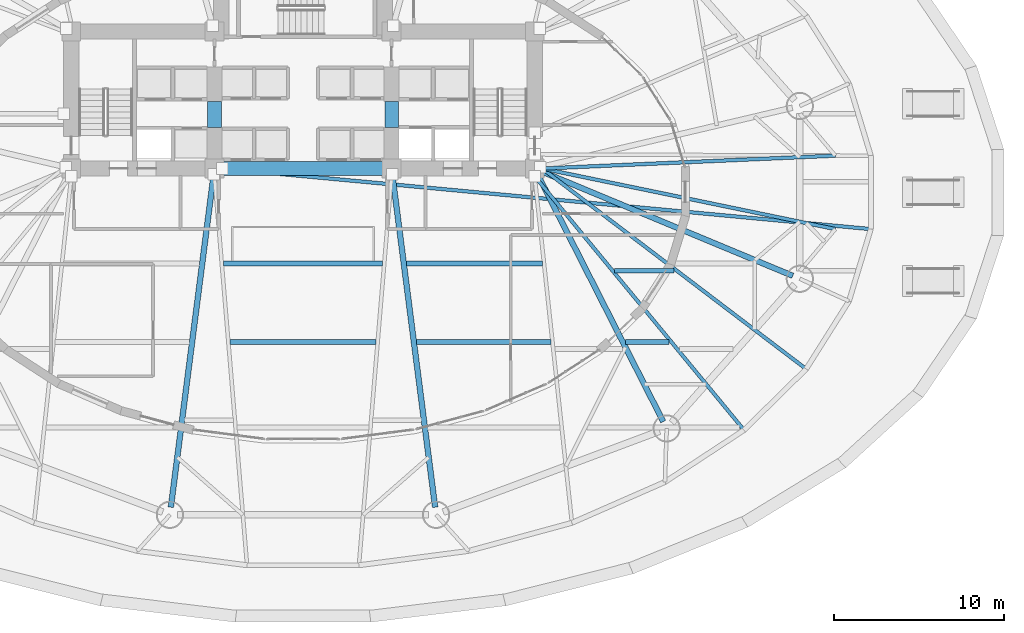
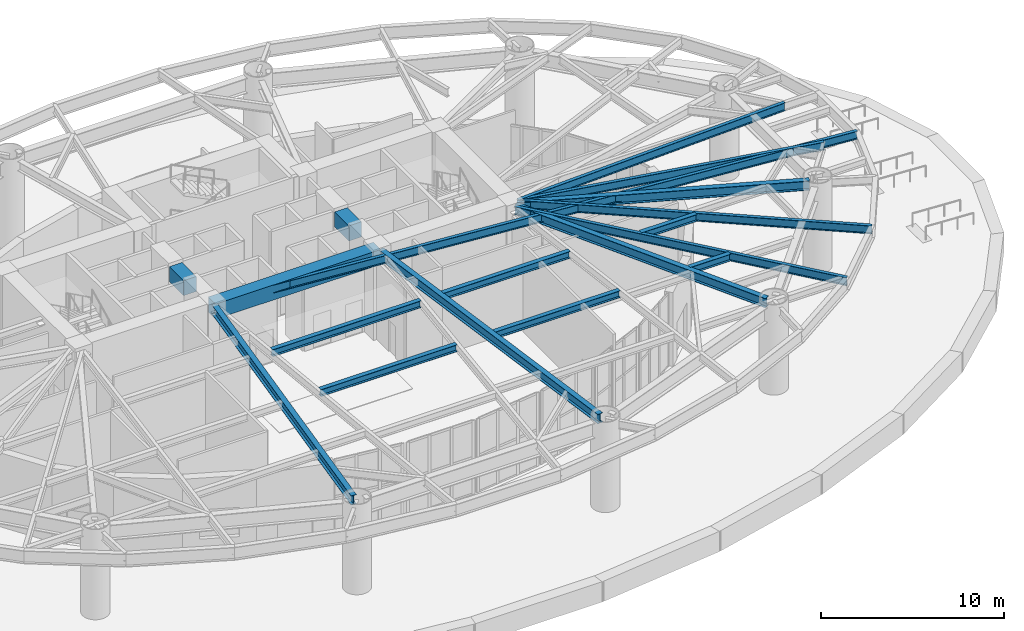
# One storey, part 6 of 21: 18 beams.
"""IFC4 building model written with IfcOpenShell, lengths in metres."""

from ifc_helpers import new_model, si_unit, direction, frame, origin, origin_2d, place, context, subcontext, project, spatial, rectangle, i_section, extrude, material, material_profile, profile_set, type_object, element, save


model = new_model("IFC4")

# Units and contexts
model_context = context("Model", 3, precision=1e-05, world=origin(), true_north=direction((0.0, 1.0)))
body_context = subcontext(model_context, "Body", "Model", "MODEL_VIEW")
ifc_project = project(units=[si_unit("LENGTHUNIT", "METRE"), si_unit("AREAUNIT", "SQUARE_METRE"), si_unit("VOLUMEUNIT", "CUBIC_METRE"), si_unit("PLANEANGLEUNIT", "RADIAN"), si_unit("MASSUNIT", "GRAM", prefix="KILO")], contexts=[model_context])

# Site, building, storey
site_placement = place(None, origin())
site = spatial("IfcSite", under=ifc_project, at=site_placement, CompositionType="ELEMENT")
building_placement = place(site_placement, origin())
building = spatial("IfcBuilding", under=site, at=building_placement, Name="Keldmark Tower", CompositionType="ELEMENT")
storey_placement = place(building_placement, origin())
storey = spatial("IfcBuildingStorey", under=building, at=storey_placement, Name="L00", CompositionType="ELEMENT", Elevation=0.0)

# Beams
ifc_material_1 = material(Name="Steel ASTM A992 Grade 50", Category="steel")
ifc_material_profile_1 = material_profile(ifc_material_1, i_section(OverallWidth=0.280029296875, OverallDepth=0.462890625, WebThickness=0.0107421875, FlangeThickness=0.017333984375, at=origin_2d()), Name="W18X76")
ifc_profile_set_1 = profile_set([ifc_material_profile_1], Name="Steel ASTM A992 Grade 50")
beam_type_1 = type_object("IfcBeamType", Name="Composite Floor Joist W18X76", PredefinedType="JOIST", material=ifc_profile_set_1)
beam_1_placement = place(storey_placement, frame((-4.287353515625, -8.780029296875, 5.548583984375), z_axis=(1.0, 0.0, 0.0), x_axis=(0.0, 1.0, 0.0)))
element("IfcBeam", 1, at=beam_1_placement, inside=storey, type_object=beam_type_1, Name="L00 Composite Floor Joist J12", PredefinedType="JOIST", context=body_context, shape_type="SweptSolid", body=[
    extrude(i_section(OverallWidth=0.280029296875, OverallDepth=0.462890625, WebThickness=0.0107421875, FlangeThickness=0.017333984375, at=origin_2d()), origin(), (0.0, 0.0, 1.0), 8.57470703125),
])
beam_2_placement = place(storey_placement, frame((6.665771484375, -8.780029296875, 5.548583984375), z_axis=(1.0, 0.0, 0.0), x_axis=(0.0, 1.0, 0.0)))
element("IfcBeam", 2, at=beam_2_placement, inside=storey, type_object=beam_type_1, Name="L00 Composite Floor Joist J13", PredefinedType="JOIST", context=body_context, shape_type="SweptSolid", body=[
    extrude(i_section(OverallWidth=0.280029296875, OverallDepth=0.462890625, WebThickness=0.0107421875, FlangeThickness=0.017333984375, at=origin_2d()), origin(), (0.0, 0.0, 1.0), 7.885498046875),
])
beam_3_placement = place(storey_placement, frame((18.947265625, -8.780029296875, 5.548583984375), z_axis=(1.0, 0.0, 0.0), x_axis=(0.0, 1.0, 0.0)))
element("IfcBeam", 3, at=beam_3_placement, inside=storey, type_object=beam_type_1, Name="L00 Composite Floor Joist J15", PredefinedType="JOIST", context=body_context, shape_type="SweptSolid", body=[
    extrude(i_section(OverallWidth=0.280029296875, OverallDepth=0.462890625, WebThickness=0.0107421875, FlangeThickness=0.017333984375, at=origin_2d()), origin(), (0.0, 0.0, 1.0), 2.552734375),
])
beam_4_placement = place(storey_placement, frame((-4.67333984375, -4.179931640625, 5.548583984375), z_axis=(1.0, 0.0, 0.0), x_axis=(0.0, 1.0, 0.0)))
element("IfcBeam", 4, at=beam_4_placement, inside=storey, type_object=beam_type_1, Name="L00 Composite Floor Joist J21", PredefinedType="JOIST", context=body_context, shape_type="SweptSolid", body=[
    extrude(i_section(OverallWidth=0.280029296875, OverallDepth=0.462890625, WebThickness=0.0107421875, FlangeThickness=0.017333984375, at=origin_2d()), origin(), (0.0, 0.0, 1.0), 9.3466796875),
])
beam_5_placement = place(storey_placement, frame((6.073974609375, -4.179931640625, 5.548583984375), z_axis=(1.0, 0.0, 0.0), x_axis=(0.0, 1.0, 0.0)))
element("IfcBeam", 5, at=beam_5_placement, inside=storey, type_object=beam_type_1, Name="L00 Composite Floor Joist J22", PredefinedType="JOIST", context=body_context, shape_type="SweptSolid", body=[
    extrude(i_section(OverallWidth=0.280029296875, OverallDepth=0.462890625, WebThickness=0.0107421875, FlangeThickness=0.017333984375, at=origin_2d()), origin(), (0.0, 0.0, 1.0), 7.98193359375),
])
beam_6_placement = place(storey_placement, frame((18.303955078125, -4.60009765625, 5.548583984375), z_axis=(1.0, 0.0, 0.0), x_axis=(0.0, 1.0, 0.0)))
element("IfcBeam", 6, at=beam_6_placement, inside=storey, type_object=beam_type_1, Name="L00 Composite Floor Joist J23", PredefinedType="JOIST", context=body_context, shape_type="SweptSolid", body=[
    extrude(i_section(OverallWidth=0.280029296875, OverallDepth=0.462890625, WebThickness=0.0107421875, FlangeThickness=0.017333984375, at=origin_2d()), origin(), (0.0, 0.0, 1.0), 3.482177734375),
])
ifc_material_2 = material(Name="Concrete C70/85", Category="concrete")
ifc_material_profile_2 = material_profile(ifc_material_2, rectangle(XDim=0.800048828125, YDim=1.0, at=origin_2d()), Name="RCB800X1000")
ifc_profile_set_2 = profile_set([ifc_material_profile_2], Name="Concrete C70/85")
beam_type_2 = type_object("IfcBeamType", Name="Core Coupling Beam RCB800X1000", PredefinedType="USERDEFINED", material=ifc_profile_set_2)
for number, where, z_axis, x_axis, name in (
    (7, (-5.199951171875, 3.800048828125, 5.280029296875), (0.0, 1.0, 0.0), (-1.0, 0.0, 0.0), "L00 West Core Coupling Beam"),
    (8, (5.199951171875, 3.800048828125, 5.280029296875), (0.0, 1.0, 0.0), (-1.0, 0.0, 0.0), "L00 East Core Coupling Beam"),
):
    element("IfcBeam", number, at=place(storey_placement, frame(where, z_axis=z_axis, x_axis=x_axis)), inside=storey, type_object=beam_type_2, Name=name, ObjectType="COUPLING BEAM", PredefinedType="USERDEFINED", context=body_context, shape_type="SweptSolid", body=[
        extrude(rectangle(XDim=0.800048828125, YDim=1.0, at=origin_2d()), origin(), (0.0, 0.0, 1.0), 1.550048828125),
    ])
beam_7_placement = place(storey_placement, frame((-5.199951171875, 1.39990234375, 5.280029296875), z_axis=(1.0, 0.0, 0.0), x_axis=(0.0, 1.0, 0.0)))
element("IfcBeam", 9, at=beam_7_placement, inside=storey, type_object=beam_type_2, Name="L00 Central South Core Coupling Beam", ObjectType="COUPLING BEAM", PredefinedType="USERDEFINED", context=body_context, shape_type="SweptSolid", body=[
    extrude(rectangle(XDim=0.800048828125, YDim=1.0, at=origin_2d()), origin(), (0.0, 0.0, 1.0), 10.39990234375),
])
ifc_material_3 = material(Name="Steel ASTM A992 Grade 50", Category="steel")
ifc_material_profile_3 = material_profile(ifc_material_3, i_section(OverallWidth=0.2099609375, OverallDepth=0.537109375, WebThickness=0.010986328125, FlangeThickness=0.017333984375, at=origin_2d()), Name="W21X68")
ifc_profile_set_3 = profile_set([ifc_material_profile_3], Name="Steel ASTM A992 Grade 50")
beam_type_3 = type_object("IfcBeamType", Name="Radial Tie Girder W21X68", PredefinedType="BEAM", material=ifc_profile_set_3)
beam_8_placement = place(storey_placement, frame((14.050048828125, 1.39990234375, 5.511474609375), z_axis=(0.999034476272, 0.043933076613, 0.0), x_axis=(-0.043933076613, 0.999034476272, 0.0)))
element("IfcBeam", 10, at=beam_8_placement, inside=storey, type_object=beam_type_3, Name="L00 Intermediate Radial Step Girder RT-01M", PredefinedType="BEAM", context=body_context, shape_type="SweptSolid", body=[
    extrude(i_section(OverallWidth=0.2099609375, OverallDepth=0.537109375, WebThickness=0.010986328125, FlangeThickness=0.017333984375, at=origin_2d()), origin(), (0.0, 0.0, 1.0), 17.221435546875),
])
beam_9_placement = place(storey_placement, frame((13.60009765625, 0.949951171875, 5.511474609375), z_axis=(0.636316421227, -0.771428163912, 0.0), x_axis=(0.771428163912, 0.636316421227, 0.0)))
element("IfcBeam", 11, at=beam_9_placement, inside=storey, type_object=beam_type_3, Name="L00 Perimeter Radial Tie Girder RT-29", PredefinedType="BEAM", context=body_context, shape_type="SweptSolid", body=[
    extrude(i_section(OverallWidth=0.2099609375, OverallDepth=0.537109375, WebThickness=0.010986328125, FlangeThickness=0.017333984375, at=origin_2d()), origin(), (0.0, 0.0, 1.0), 19.323486328125),
])
beam_10_placement = place(storey_placement, frame((14.050048828125, 1.39990234375, 5.511474609375), z_axis=(0.796291526481, -0.604913055616, 0.0), x_axis=(0.604913055616, 0.796291526481, 0.0)))
element("IfcBeam", 12, at=beam_10_placement, inside=storey, type_object=beam_type_3, Name="L00 Perimeter Radial Tie Girder RT-30", PredefinedType="BEAM", context=body_context, shape_type="SweptSolid", body=[
    extrude(i_section(OverallWidth=0.2099609375, OverallDepth=0.537109375, WebThickness=0.010986328125, FlangeThickness=0.017333984375, at=origin_2d()), origin(), (0.0, 0.0, 1.0), 19.458251953125),
])
beam_11_placement = place(storey_placement, frame((14.050048828125, 1.39990234375, 5.511474609375), z_axis=(0.979296816514, -0.202429605457, 0.0), x_axis=(0.202429605457, 0.979296816514, 0.0)))
element("IfcBeam", 13, at=beam_11_placement, inside=storey, type_object=beam_type_3, Name="L00 Intermediate Radial Step Girder RT-32M", PredefinedType="BEAM", context=body_context, shape_type="SweptSolid", body=[
    extrude(i_section(OverallWidth=0.2099609375, OverallDepth=0.537109375, WebThickness=0.010986328125, FlangeThickness=0.017333984375, at=origin_2d()), origin(), (0.0, 0.0, 1.0), 17.568603515625),
])
beam_12_placement = place(storey_placement, frame((-4.75, 1.39990234375, 5.511474609375), z_axis=(0.99566916768, -0.092967244397, 0.0), x_axis=(0.092967244397, 0.99566916768, 0.0)))
element("IfcBeam", 14, at=beam_12_placement, inside=storey, type_object=beam_type_3, Name="L00 Perimeter Radial Tie Girder RT-32", PredefinedType="BEAM", context=body_context, shape_type="SweptSolid", body=[
    extrude(i_section(OverallWidth=0.2099609375, OverallDepth=0.537109375, WebThickness=0.010986328125, FlangeThickness=0.017333984375, at=origin_2d()), origin(), (0.0, 0.0, 1.0), 38.25439453125),
])
ifc_material_4 = material(Name="Steel ASTM A992 Grade 50", Category="steel")
ifc_material_profile_4 = material_profile(ifc_material_4, i_section(OverallWidth=0.326904296875, OverallDepth=0.6220703125, WebThickness=0.015380859375, FlangeThickness=0.0244140625, at=origin_2d()), Name="W24X131")
ifc_profile_set_4 = profile_set([ifc_material_profile_4], Name="Steel ASTM A992 Grade 50")
beam_type_4 = type_object("IfcBeamType", Name="Spandrel Ring Beam W24X131", PredefinedType="SPANDREL", material=ifc_profile_set_4)
for number, where, z_axis, x_axis, name in (
    (15, (-7.7587890625, -18.48583984375, 5.468994140625), (0.127622930912, 0.991822760127, 0.0), (-0.991822760127, 0.127622930912, 0.0), "L00 Podium Radial Girder PG-C09"),
    (16, (7.7587890625, -18.48583984375, 5.468994140625), (-0.127622930912, 0.991822760127, 0.0), (-0.991822760127, -0.127622930912, 0.0), "L00 Podium Radial Girder PG-C10"),
):
    element("IfcBeam", number, at=place(storey_placement, frame(where, z_axis=z_axis, x_axis=x_axis)), inside=storey, type_object=beam_type_4, Name=name, PredefinedType="SPANDREL", context=body_context, shape_type="SweptSolid", body=[
        extrude(i_section(OverallWidth=0.326904296875, OverallDepth=0.6220703125, WebThickness=0.015380859375, FlangeThickness=0.0244140625, at=origin_2d()), origin(), (0.0, 0.0, 1.0), 19.699951171875),
    ])
beam_13_placement = place(storey_placement, frame((21.150634765625, -13.4580078125, 5.468994140625), z_axis=(-0.45304555932, 0.891487364566, 0.0), x_axis=(-0.891487364566, -0.45304555932, 0.0)))
element("IfcBeam", 17, at=beam_13_placement, inside=storey, type_object=beam_type_4, Name="L00 Podium Radial Girder PG-C11", PredefinedType="SPANDREL", context=body_context, shape_type="SweptSolid", body=[
    extrude(i_section(OverallWidth=0.326904296875, OverallDepth=0.6220703125, WebThickness=0.015380859375, FlangeThickness=0.0244140625, at=origin_2d()), origin(), (0.0, 0.0, 1.0), 16.31640625),
])
beam_14_placement = place(storey_placement, frame((28.755615234375, -4.900146484375, 5.468994140625), z_axis=(-0.923395872542, 0.383849010123, 0.0), x_axis=(-0.383849010123, -0.923395872542, 0.0)))
element("IfcBeam", 18, at=beam_14_placement, inside=storey, type_object=beam_type_4, Name="L00 Podium Radial Girder PG-C12", PredefinedType="SPANDREL", context=body_context, shape_type="SweptSolid", body=[
    extrude(i_section(OverallWidth=0.326904296875, OverallDepth=0.6220703125, WebThickness=0.015380859375, FlangeThickness=0.0244140625, at=origin_2d()), origin(), (0.0, 0.0, 1.0), 16.06298828125),
])

save(model, "model.ifc")
